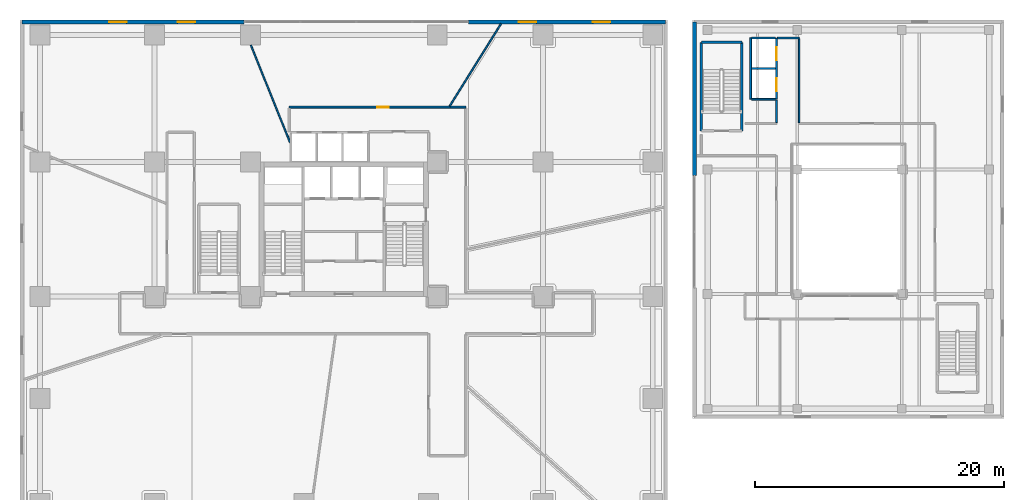
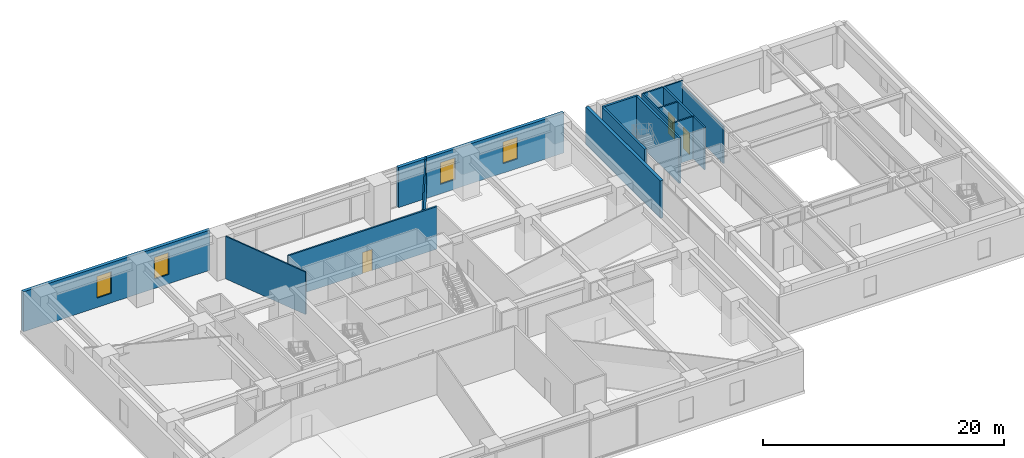
# One storey, part 19 of 24: 17 walls, 4 windows, 3 doors, 7 openings.
"""IFC4 building model written with IfcOpenShell, lengths in metres."""

import ifcopenshell
import ifcopenshell.guid

model = None  # the IFC model being written
_history = None  # IfcOwnerHistory: only IFC2X3 demands one
_inside = {}  # id of a spatial element -> (the spatial element, [elements in it])
_under = {}  # id of a project, library or spatial element -> (it, [spatial elements below it])
_declared = {}  # id of a project -> (the project, [libraries it declares])
_typed = {}  # id of a type object -> (the type object, [elements of that type])
_made_of = {}  # id of a material, layer set ... -> (it, [elements and type objects made of it])


def new_model(schema):
    """Start an empty IFC model of exactly this schema.

    Asked for "IFC4X3", IfcOpenShell would pick the latest addendum, in which some entities
    have other attributes; the version numbers below select the first issue.
    IFC2X3 requires an IfcOwnerHistory on every rooted entity: one is made here for all.
    """
    global model, _history
    if schema == "IFC4X3":
        model = ifcopenshell.file(schema_version=(4, 3, 0, 0))
    else:
        model = ifcopenshell.file(schema=schema)
    _inside.clear()
    _under.clear()
    _declared.clear()
    _typed.clear()
    _made_of.clear()
    _history = None
    if model.schema == "IFC2X3":
        org = make("IfcOrganization", Name="unknown")
        user = make(
            "IfcPersonAndOrganization",
            ThePerson=make("IfcPerson", FamilyName="unknown"),
            TheOrganization=org,
        )
        app = make(
            "IfcApplication",
            ApplicationDeveloper=org,
            Version="unknown",
            ApplicationFullName="unknown",
            ApplicationIdentifier="unknown",
        )
        _history = make(
            "IfcOwnerHistory",
            OwningUser=user,
            OwningApplication=app,
            ChangeAction="ADDED",
            CreationDate=0,
        )
    return model


def make(cls, **values):
    """One entity of the class cls with the attributes given. An attribute that is None is left unset."""
    return model.create_entity(
        cls, **{name: value for name, value in values.items() if value is not None}
    )


def rooted(cls, **values):
    """An entity with a GlobalId (a new one), such as an element, a storey or a relation."""
    return make(cls, GlobalId=ifcopenshell.guid.new(), OwnerHistory=_history, **values)


def si_unit(unit_type, name, prefix=None):
    """IfcSIUnit, for example si_unit("LENGTHUNIT", "METRE", prefix="MILLI")."""
    return make("IfcSIUnit", UnitType=unit_type, Prefix=prefix, Name=name)


def assignment(units):
    """IfcUnitAssignment: the units of a project."""
    return None if units is None else make("IfcUnitAssignment", Units=units)


def point(xyz):
    """IfcCartesianPoint."""
    return None if xyz is None else make("IfcCartesianPoint", Coordinates=xyz)


def direction(xyz):
    """IfcDirection."""
    return None if xyz is None else make("IfcDirection", DirectionRatios=xyz)


def frame(location, z_axis=None, x_axis=None):
    """IfcAxis2Placement3D, a coordinate frame: its origin and axes. An axis left out is left unset."""
    return make(
        "IfcAxis2Placement3D",
        Location=point(location),
        Axis=direction(z_axis),
        RefDirection=direction(x_axis),
    )


def frame_2d(location, x_axis=None):
    """IfcAxis2Placement2D, a coordinate frame in the plane: its origin and x axis."""
    return make(
        "IfcAxis2Placement2D", Location=point(location), RefDirection=direction(x_axis)
    )


def origin():
    """The frame at (0, 0, 0) with its axes left unset."""
    return frame((0.0, 0.0, 0.0))


def place(relative_to, where):
    """IfcLocalPlacement: puts the frame where relative to a parent placement (None: the world)."""
    return make(
        "IfcLocalPlacement", PlacementRelTo=relative_to, RelativePlacement=where
    )


def context(
    kind, dimensions, precision=None, world=None, true_north=None, identifier=None
):
    """IfcGeometricRepresentationContext, for example the 3D "Model" context."""
    return make(
        "IfcGeometricRepresentationContext",
        ContextIdentifier=identifier,
        ContextType=kind,
        CoordinateSpaceDimension=dimensions,
        Precision=precision,
        WorldCoordinateSystem=world,
        TrueNorth=true_north,
    )


def subcontext(parent, identifier, kind, view, scale=None):
    """IfcGeometricRepresentationSubContext, for example "Body" below "Model"."""
    return make(
        "IfcGeometricRepresentationSubContext",
        ContextIdentifier=identifier,
        ContextType=kind,
        ParentContext=parent,
        TargetScale=scale,
        TargetView=view,
    )


def project(units=None, contexts=None):
    """IfcProject with its units and contexts."""
    return rooted(
        "IfcProject",
        Name="project",
        RepresentationContexts=contexts,
        UnitsInContext=assignment(units),
    )


def spatial(cls, under=None, at=None, **own):
    """A site, building, storey or space (cls), placed at a placement, below another one or the project."""
    s = rooted(cls, ObjectPlacement=at, **own)
    if under is not None:
        _under.setdefault(under.id(), (under, []))[1].append(s)
    return s


def profile(cls, at=None, kind="AREA", **sizes):
    """A parametric profile (cls). Its sizes go by their IFC names, for example OverallWidth=200.0."""
    return make(cls, ProfileType=kind, Position=at, **sizes)


def rectangle(**sizes):
    """IfcRectangleProfileDef."""
    return profile("IfcRectangleProfileDef", **sizes)


def extrude(swept, where, along, depth):
    """IfcExtrudedAreaSolid: the profile swept, set in the frame where, extruded along a direction by depth."""
    return make(
        "IfcExtrudedAreaSolid",
        SweptArea=swept,
        Position=where,
        ExtrudedDirection=direction(along),
        Depth=depth,
    )


def shape(context_of_items, identifier, shape_type, items):
    """IfcShapeRepresentation: the items that make up one representation, for example the "Body"."""
    return make(
        "IfcShapeRepresentation",
        ContextOfItems=context_of_items,
        RepresentationIdentifier=identifier,
        RepresentationType=shape_type,
        Items=items,
    )


def source(mapping_origin, context_of_items, identifier, shape_type, items):
    """IfcRepresentationMap: a shape defined once, which mapped items show again and again."""
    return make(
        "IfcRepresentationMap",
        MappingOrigin=mapping_origin,
        MappedRepresentation=shape(context_of_items, identifier, shape_type, items),
    )


def transform(
    local_origin,
    x_axis=None,
    y_axis=None,
    z_axis=None,
    scale=None,
    scale2=None,
    scale3=None,
    uniform=True,
):
    """IfcCartesianTransformationOperator3D, or its non-uniform kind. x_axis, y_axis, z_axis: its Axis1, 2, 3."""
    if uniform:
        return make(
            "IfcCartesianTransformationOperator3D",
            Axis1=direction(x_axis),
            Axis2=direction(y_axis),
            LocalOrigin=point(local_origin),
            Scale=scale,
            Axis3=direction(z_axis),
        )
    return make(
        "IfcCartesianTransformationOperator3DnonUniform",
        Axis1=direction(x_axis),
        Axis2=direction(y_axis),
        LocalOrigin=point(local_origin),
        Scale=scale,
        Axis3=direction(z_axis),
        Scale2=scale2,
        Scale3=scale3,
    )


def mapped(mapping_source, mapping_target):
    """IfcMappedItem: shows the shape of a source again, moved by a transform."""
    return make(
        "IfcMappedItem", MappingSource=mapping_source, MappingTarget=mapping_target
    )


def material(Name=None, Category=None):
    """IfcMaterial."""
    return make("IfcMaterial", Name=Name, Category=Category)


def layer(
    of_material, thickness, ventilated=None, Name=None, Category=None, Priority=None
):
    """IfcMaterialLayer: one layer of a wall or slab, of a material (None: an air gap)."""
    return make(
        "IfcMaterialLayer",
        Material=of_material,
        LayerThickness=thickness,
        IsVentilated=ventilated,
        Name=Name,
        Category=Category,
        Priority=Priority,
    )


def layer_set(layers, Name=None):
    """IfcMaterialLayerSet."""
    return make("IfcMaterialLayerSet", MaterialLayers=layers, LayerSetName=Name)


def made_of(thing, what):
    """Note that an element or type object is made of a material, layer set ...; save() writes the relation."""
    if what is not None:
        _made_of.setdefault(what.id(), (what, []))[1].append(thing)
    return thing


def type_object(cls, material=None, **own):
    """A type object (cls), such as IfcWallType, which elements share."""
    return made_of(rooted(cls, **own), material)


def type_shapes(of_type, sources):
    """Give a type object the sources (RepresentationMaps) that its elements show as mapped items."""
    of_type.RepresentationMaps = sources


def element(
    cls,
    number,
    at=None,
    inside=None,
    cuts=None,
    type_object=None,
    material=None,
    context=None,
    identifier="Body",
    shape_type=None,
    held_by="IfcProductDefinitionShape",
    body=None,
    shapes=None,
    **own,
):
    """One element of the class cls, such as IfcWall. Its Tag is "e" and its number.

    at: its placement. inside: the storey or other place that contains it. cuts: it is an
    opening in that element (IfcRelVoidsElement). A single representation is given by context,
    identifier, shape_type and body (its items); several are given by shapes. held_by: the class
    of the entity that holds the representations. save() writes the other relations.
    """
    e = rooted(cls, Tag="e%d" % number, ObjectPlacement=at, **own)
    if body is not None:
        shapes = [shape(context, identifier, shape_type, body)]
    if shapes is not None:
        e.Representation = make(held_by, Representations=shapes)
    if inside is not None:
        _inside.setdefault(inside.id(), (inside, []))[1].append(e)
    if cuts is not None:
        rooted(
            "IfcRelVoidsElement", RelatingBuildingElement=cuts, RelatedOpeningElement=e
        )
    if type_object is not None:
        _typed.setdefault(type_object.id(), (type_object, []))[1].append(e)
    return made_of(e, material)


def fill(opening, filler):
    """IfcRelFillsElement: the door or window that sits in an opening."""
    return rooted(
        "IfcRelFillsElement",
        RelatingOpeningElement=opening,
        RelatedBuildingElement=filler,
    )


def aggregate(whole, parts):
    """IfcRelAggregates: a whole, such as a stair, and the parts it consists of."""
    return rooted("IfcRelAggregates", RelatingObject=whole, RelatedObjects=parts)


def save(model, path):
    """Write the relations noted so far, then the file.

    IfcRelAggregates (storeys below a building ...), IfcRelContainedInSpatialStructure (elements
    in a storey), IfcRelDefinesByType, IfcRelAssociatesMaterial and IfcRelDeclares: one each for
    every whole, place, type object, material and project.
    """
    for whole, parts in _under.values():
        aggregate(whole, parts)
    for where, things in _inside.values():
        rooted(
            "IfcRelContainedInSpatialStructure",
            RelatedElements=things,
            RelatingStructure=where,
        )
    for kind, things in _typed.values():
        rooted("IfcRelDefinesByType", RelatedObjects=things, RelatingType=kind)
    for what, things in _made_of.values():
        rooted("IfcRelAssociatesMaterial", RelatedObjects=things, RelatingMaterial=what)
    for by, libraries in _declared.values():
        rooted("IfcRelDeclares", RelatingContext=by, RelatedDefinitions=libraries)
    model.write(path)


model = new_model("IFC4")

# Units and contexts
model_context = context("Model", 3, precision=1e-05, world=origin(), true_north=direction((0.0, 1.0)))
body_context = subcontext(model_context, "Body", "Model", "MODEL_VIEW")
ifc_project = project(units=[si_unit("LENGTHUNIT", "METRE"), si_unit("AREAUNIT", "SQUARE_METRE"), si_unit("VOLUMEUNIT", "CUBIC_METRE"), si_unit("PLANEANGLEUNIT", "RADIAN"), si_unit("MASSUNIT", "GRAM", prefix="KILO")], contexts=[model_context])

# Site, building, storey
site_placement = place(None, origin())
site = spatial("IfcSite", under=ifc_project, at=site_placement, CompositionType="ELEMENT")
building_placement = place(site_placement, origin())
building = spatial("IfcBuilding", under=site, at=building_placement, Name="Talar Marvaseh", CompositionType="ELEMENT")
storey_placement = place(building_placement, frame((0.0, 0.0, 9.800048828125)))
storey = spatial("IfcBuildingStorey", under=building, at=storey_placement, Name="L02", CompositionType="ELEMENT", Elevation=9.800048828125)

# Wall, openings, windows
ifc_material_1 = material(Name="Precast concrete C45/55", Category="concrete")
ifc_layer_1 = layer(ifc_material_1, 0.31005859375)
ifc_layer_set_1 = layer_set([ifc_layer_1], Name="Precast concrete C45/55")
wall_type_1 = type_object("IfcWallType", Name="Architectural Precast Limestone Podium Facade Wall 310", PredefinedType="SOLIDWALL", material=ifc_layer_set_1)
wall_1_placement = place(storey_placement, frame((0.159912109375, 47.840087890625, 0.0), z_axis=(0.0, 0.0, 1.0), x_axis=(1.0, 0.0, 0.0)))
wall_1 = element("IfcWall", 1, at=wall_1_placement, inside=storey, type_object=wall_type_1, Name="L02 Podium North-West Facade Wall", PredefinedType="SOLIDWALL", context=body_context, shape_type="SweptSolid", body=[
    extrude(rectangle(XDim=17.840087890625, YDim=0.31005859375, at=frame_2d((8.919921875, 0.0))), origin(), (0.0, 0.0, 1.0), 4.050048828125),
])
opening_1_placement = place(wall_1_placement, frame((7.0, 0.0, 0.949951171875)))
opening_1 = element("IfcOpeningElement", 2, at=opening_1_placement, cuts=wall_1, Name="Opening WN-POD14", PredefinedType="OPENING", context=body_context, shape_type="SweptSolid", body=[
    extrude(rectangle(XDim=1.39990234375, YDim=2.199951171875, at=frame_2d((0.699951171875, 1.10009765625))), frame((0.0, 0.1650390625, 0.0), z_axis=(0.0, -1.0, 0.0), x_axis=(1.0, 0.0, 0.0)), (0.0, 0.0, 1.0), 0.330078125),
])
opening_2_placement = place(wall_1_placement, frame((12.5, 0.0, 0.949951171875)))
opening_2 = element("IfcOpeningElement", 3, at=opening_2_placement, cuts=wall_1, Name="Opening WN-POD14", PredefinedType="OPENING", context=body_context, shape_type="SweptSolid", body=[
    extrude(rectangle(XDim=1.39990234375, YDim=2.199951171875, at=frame_2d((0.699951171875, 1.10009765625))), frame((0.0, 0.1650390625, 0.0), z_axis=(0.0, -1.0, 0.0), x_axis=(1.0, 0.0, 0.0)), (0.0, 0.0, 1.0), 0.330078125),
])
ifc_material_2 = material(Name="Laminated Low-E Solar Glass", Category="glass")
window_type = type_object("IfcWindowType", Name="Podium Mezzanine Solar Window 1400x2200", PartitioningType="SINGLE_PANEL", PredefinedType="WINDOW", material=ifc_material_2)
shared_shape_1 = source(origin(), body_context, "Body", "SweptSolid", [
    extrude(rectangle(XDim=1.39990234375, YDim=2.199951171875, at=frame_2d((0.699951171875, 1.10009765625))), frame((0.0, 0.030029296875, 0.0), z_axis=(0.0, -1.0, 0.0), x_axis=(1.0, 0.0, 0.0)), (0.0, 0.0, 1.0), 0.06005859375),
])
type_shapes(window_type, [shared_shape_1])
window_1_placement = place(opening_1_placement, origin())
window_1 = element("IfcWindow", 4, at=window_1_placement, inside=storey, type_object=window_type, Name="L02 Podium Solar Window", OverallHeight=2.199951171875, OverallWidth=1.39990234375, PartitioningType="SINGLE_PANEL", PredefinedType="WINDOW", context=body_context, shape_type="MappedRepresentation", body=[
    mapped(shared_shape_1, transform((0.0, 0.0, 0.0), x_axis=(1.0, 0.0, 0.0), y_axis=(0.0, 1.0, 0.0), z_axis=(0.0, 0.0, 1.0), scale=1.0)),
])
fill(opening_1, window_1)
window_2_placement = place(opening_2_placement, origin())
window_2 = element("IfcWindow", 5, at=window_2_placement, inside=storey, type_object=window_type, Name="L02 Podium Solar Window", OverallHeight=2.199951171875, OverallWidth=1.39990234375, PartitioningType="SINGLE_PANEL", PredefinedType="WINDOW", context=body_context, shape_type="MappedRepresentation", body=[
    mapped(shared_shape_1, transform((0.0, 0.0, 0.0), x_axis=(1.0, 0.0, 0.0), y_axis=(0.0, 1.0, 0.0), z_axis=(0.0, 0.0, 1.0), scale=1.0)),
])
fill(opening_2, window_2)

wall_2_placement = place(storey_placement, frame((36.0, 47.840087890625, 0.0), z_axis=(0.0, 0.0, 1.0), x_axis=(1.0, 0.0, 0.0)))
wall_2 = element("IfcWall", 6, at=wall_2_placement, inside=storey, type_object=wall_type_1, Name="L02 Podium North-East Facade Wall", PredefinedType="SOLIDWALL", context=body_context, shape_type="SweptSolid", body=[
    extrude(rectangle(XDim=15.840087890625, YDim=0.31005859375, at=frame_2d((7.919921875, 0.0))), origin(), (0.0, 0.0, 1.0), 4.050048828125),
])
opening_3_placement = place(wall_2_placement, frame((4.050048828125, 0.0, 0.949951171875)))
opening_3 = element("IfcOpeningElement", 7, at=opening_3_placement, cuts=wall_2, Name="Opening WN-POD14", PredefinedType="OPENING", context=body_context, shape_type="SweptSolid", body=[
    extrude(rectangle(XDim=1.39990234375, YDim=2.199951171875, at=frame_2d((0.699951171875, 1.10009765625))), frame((0.0, 0.1650390625, 0.0), z_axis=(0.0, -1.0, 0.0), x_axis=(1.0, 0.0, 0.0)), (0.0, 0.0, 1.0), 0.330078125),
])
opening_4_placement = place(wall_2_placement, frame((10.0, 0.0, 0.949951171875)))
opening_4 = element("IfcOpeningElement", 8, at=opening_4_placement, cuts=wall_2, Name="Opening WN-POD14", PredefinedType="OPENING", context=body_context, shape_type="SweptSolid", body=[
    extrude(rectangle(XDim=1.39990234375, YDim=2.199951171875, at=frame_2d((0.699951171875, 1.10009765625))), frame((0.0, 0.1650390625, 0.0), z_axis=(0.0, -1.0, 0.0), x_axis=(1.0, 0.0, 0.0)), (0.0, 0.0, 1.0), 0.330078125),
])
window_3_placement = place(opening_3_placement, origin())
window_3 = element("IfcWindow", 9, at=window_3_placement, inside=storey, type_object=window_type, Name="L02 Podium Solar Window", OverallHeight=2.199951171875, OverallWidth=1.39990234375, PartitioningType="SINGLE_PANEL", PredefinedType="WINDOW", context=body_context, shape_type="MappedRepresentation", body=[
    mapped(shared_shape_1, transform((0.0, 0.0, 0.0), x_axis=(1.0, 0.0, 0.0), y_axis=(0.0, 1.0, 0.0), z_axis=(0.0, 0.0, 1.0), scale=1.0)),
])
fill(opening_3, window_3)
window_4_placement = place(opening_4_placement, origin())
window_4 = element("IfcWindow", 10, at=window_4_placement, inside=storey, type_object=window_type, Name="L02 Podium Solar Window", OverallHeight=2.199951171875, OverallWidth=1.39990234375, PartitioningType="SINGLE_PANEL", PredefinedType="WINDOW", context=body_context, shape_type="MappedRepresentation", body=[
    mapped(shared_shape_1, transform((0.0, 0.0, 0.0), x_axis=(1.0, 0.0, 0.0), y_axis=(0.0, 1.0, 0.0), z_axis=(0.0, 0.0, 1.0), scale=1.0)),
])
fill(opening_4, window_4)

# Wall, opening, door
ifc_material_3 = material(Name="Gypsum Board Partition Assembly")
ifc_layer_2 = layer(ifc_material_3, 0.155029296875)
ifc_layer_set_2 = layer_set([ifc_layer_2], Name="Gypsum Board Partition Assembly")
wall_type_2 = type_object("IfcWallType", Name="Corridor Fire-Rated Acoustic Partition 155", PredefinedType="PARTITIONING", material=ifc_layer_set_2)
wall_3_placement = place(storey_placement, frame((21.60009765625, 41.0, 0.0), z_axis=(0.0, 0.0, 1.0), x_axis=(1.0, 0.0, 0.0)))
wall_3 = element("IfcWall", 11, at=wall_3_placement, inside=storey, type_object=wall_type_2, Name="L02 Interior Partition Wall", PredefinedType="PARTITIONING", context=body_context, shape_type="SweptSolid", body=[
    extrude(rectangle(XDim=14.199951171875, YDim=0.155029296875, at=frame_2d((7.10009765625, 0.0))), origin(), (0.0, 0.0, 1.0), 4.300048828125),
])
opening_5_placement = place(wall_3_placement, frame((7.0654296875, 0.0, 0.0)))
opening_5 = element("IfcOpeningElement", 12, at=opening_5_placement, cuts=wall_3, Name="Opening DR-WC095", PredefinedType="OPENING", context=body_context, shape_type="SweptSolid", body=[
    extrude(rectangle(XDim=0.949951171875, YDim=2.14990234375, at=frame_2d((0.47509765625, 1.074951171875))), frame((0.0, 0.08740234375, 0.0), z_axis=(0.0, -1.0, 0.0), x_axis=(1.0, 0.0, 0.0)), (0.0, 0.0, 1.0), 0.175048828125),
])
ifc_material_4 = material(Name="Acoustic Engineered Oak Timber", Category="wood")
door_type_1 = type_object("IfcDoorType", Name="Washroom and Service Room Door 950x2150", OperationType="NOTDEFINED", PredefinedType="DOOR", material=ifc_material_4)
shared_shape_2 = source(origin(), body_context, "Body", "SweptSolid", [
    extrude(rectangle(XDim=0.949951171875, YDim=2.14990234375, at=frame_2d((0.47509765625, 1.074951171875))), frame((0.0, 0.02490234375, 0.0), z_axis=(0.0, -1.0, 0.0), x_axis=(1.0, 0.0, 0.0)), (0.0, 0.0, 1.0), 0.050048828125),
])
type_shapes(door_type_1, [shared_shape_2])
door_1_placement = place(opening_5_placement, origin())
door_1 = element("IfcDoor", 13, at=door_1_placement, inside=storey, type_object=door_type_1, Name="L02 Accessible WC Block Door", OperationType="SINGLE_SWING_RIGHT", OverallHeight=2.14990234375, OverallWidth=0.949951171875, PredefinedType="DOOR", context=body_context, shape_type="MappedRepresentation", body=[
    mapped(shared_shape_2, transform((0.0, 0.0, 0.0), x_axis=(1.0, 0.0, 0.0), y_axis=(0.0, 1.0, 0.0), z_axis=(0.0, 0.0, 1.0), scale=1.0)),
])
fill(opening_5, door_1)

# Walls
ifc_layer_3 = layer(ifc_material_3, 0.1201171875)
ifc_layer_set_3 = layer_set([ifc_layer_3], Name="Gypsum Board Partition Assembly")
wall_type_3 = type_object("IfcWallType", Name="Demountable Studio Room Partition 120", PredefinedType="PARTITIONING", material=ifc_layer_set_3)
wall_4_placement = place(storey_placement, frame((34.4921875, 41.08349609375, 0.0), z_axis=(0.0, 0.0, 1.0), x_axis=(0.529897521228, 0.848061682306, 0.0)))
element("IfcWall", 14, at=wall_4_placement, inside=storey, type_object=wall_type_3, Name="L02 Interior Partition Wall", PredefinedType="PARTITIONING", context=body_context, shape_type="SweptSolid", body=[
    extrude(rectangle(XDim=7.7900390625, YDim=0.1201171875, at=frame_2d((3.89501953125, 0.0))), origin(), (0.0, 0.0, 1.0), 4.300048828125),
])
wall_5_placement = place(storey_placement, frame((21.681396484375, 38.184326171875, 0.0), z_axis=(0.0, 0.0, 1.0), x_axis=(-0.374369058087, 0.927279789679, 0.0)))
element("IfcWall", 15, at=wall_5_placement, inside=storey, type_object=wall_type_3, Name="L02 Interior Partition Wall", PredefinedType="PARTITIONING", context=body_context, shape_type="SweptSolid", body=[
    extrude(rectangle(XDim=8.417724609375, YDim=0.1201171875, at=frame_2d((4.208984375, 0.0))), origin(), (0.0, 0.0, 1.0), 4.300048828125),
])
ifc_layer_4 = layer(ifc_material_1, 0.14501953125)
ifc_layer_set_4 = layer_set([ifc_layer_4], Name="Precast concrete C45/55")
wall_type_4 = type_object("IfcWallType", Name="Fire-Rated Lift Divider Wall 145", PredefinedType="SOLIDWALL", material=ifc_layer_set_4)
wall_6_placement = place(storey_placement, frame((58.659912109375, 41.639892578125, 0.0), z_axis=(0.0, 0.0, 1.0), x_axis=(0.0, 1.0, 0.0)))
element("IfcWall", 16, at=wall_6_placement, inside=storey, type_object=wall_type_4, Name="L02 Market Lift Back Wall", PredefinedType="SOLIDWALL", context=body_context, shape_type="SweptSolid", body=[
    extrude(rectangle(XDim=4.920166015625, YDim=0.14501953125, at=frame_2d((2.4599609375, 0.0))), origin(), (0.0, 0.0, 1.0), 4.300048828125),
])
wall_7_placement = place(storey_placement, frame((58.738525390625, 44.10009765625, 0.0), z_axis=(0.0, 0.0, 1.0), x_axis=(1.0, 0.0, 0.0)))
element("IfcWall", 17, at=wall_7_placement, inside=storey, type_object=wall_type_4, Name="L02 Market Lift Divider", PredefinedType="SOLIDWALL", context=body_context, shape_type="SweptSolid", body=[
    extrude(rectangle(XDim=1.907958984375, YDim=0.14501953125, at=frame_2d((0.9541015625, 0.0))), origin(), (0.0, 0.0, 1.0), 4.300048828125),
])
for number, where, z_axis, x_axis, name in (
    (18, (58.739990234375, 41.639892578125, 0.0), (0.0, 0.0, 1.0), (1.0, 0.0, 0.0), "L02 Market Lift South End Wall"),
    (19, (58.739990234375, 46.56005859375, 0.0), (0.0, 0.0, 1.0), (1.0, 0.0, 0.0), "L02 Market Lift North End Wall"),
):
    element("IfcWall", number, at=place(storey_placement, frame(where, z_axis=z_axis, x_axis=x_axis)), inside=storey, type_object=wall_type_4, Name=name, PredefinedType="SOLIDWALL", context=body_context, shape_type="SweptSolid", body=[
        extrude(rectangle(XDim=1.909912109375, YDim=0.14501953125, at=frame_2d((0.955078125, 0.0))), origin(), (0.0, 0.0, 1.0), 4.300048828125),
    ])

# Wall, openings, doors
ifc_layer_5 = layer(ifc_material_1, 0.175048828125)
ifc_layer_set_5 = layer_set([ifc_layer_5], Name="Precast concrete C45/55")
wall_type_5 = type_object("IfcWallType", Name="Fire-Rated Lift Hoistway Enclosure Wall 175", PredefinedType="SOLIDWALL", material=ifc_layer_set_5)
wall_8_placement = place(storey_placement, frame((60.739990234375, 41.639892578125, 0.0), z_axis=(0.0, 0.0, 1.0), x_axis=(0.0, 1.0, 0.0)))
wall_8 = element("IfcWall", 20, at=wall_8_placement, inside=storey, type_object=wall_type_5, Name="L02 Market Lift Bank Front Wall", PredefinedType="SOLIDWALL", context=body_context, shape_type="SweptSolid", body=[
    extrude(rectangle(XDim=4.920166015625, YDim=0.175048828125, at=frame_2d((2.4599609375, 0.0))), origin(), (0.0, 0.0, 1.0), 4.300048828125),
])
opening_6_placement = place(wall_8_placement, frame((0.64990234375, 0.0, 0.0)))
opening_6 = element("IfcOpeningElement", 21, at=opening_6_placement, cuts=wall_8, Name="Opening LD-MHE1", PredefinedType="OPENING", context=body_context, shape_type="SweptSolid", body=[
    extrude(rectangle(XDim=1.050048828125, YDim=2.14990234375, at=frame_2d((0.52490234375, 1.074951171875))), frame((0.0, 0.09765625, 0.0), z_axis=(0.0, -1.0, 0.0), x_axis=(1.0, 0.0, 0.0)), (0.0, 0.0, 1.0), 0.195068359375),
])
opening_7_placement = place(wall_8_placement, frame((3.1201171875, 0.0, 0.0)))
opening_7 = element("IfcOpeningElement", 22, at=opening_7_placement, cuts=wall_8, Name="Opening LD-MHE2", PredefinedType="OPENING", context=body_context, shape_type="SweptSolid", body=[
    extrude(rectangle(XDim=1.050048828125, YDim=2.14990234375, at=frame_2d((0.52490234375, 1.074951171875))), frame((0.0, 0.09765625, 0.0), z_axis=(0.0, -1.0, 0.0), x_axis=(1.0, 0.0, 0.0)), (0.0, 0.0, 1.0), 0.195068359375),
])
ifc_material_5 = material(Name="Stainless Steel Grade 316", Category="steel")
door_type_2 = type_object("IfcDoorType", Name="Automatic Sliding Lift Landing Door 1050x2150", OperationType="NOTDEFINED", PredefinedType="DOOR", material=ifc_material_5)
shared_shape_3 = source(origin(), body_context, "Body", "SweptSolid", [
    extrude(rectangle(XDim=1.050048828125, YDim=2.14990234375, at=frame_2d((0.52490234375, 1.074951171875))), frame((0.0, 0.02490234375, 0.0), z_axis=(0.0, -1.0, 0.0), x_axis=(1.0, 0.0, 0.0)), (0.0, 0.0, 1.0), 0.050048828125),
])
type_shapes(door_type_2, [shared_shape_3])
door_2_placement = place(opening_6_placement, origin())
door_2 = element("IfcDoor", 23, at=door_2_placement, inside=storey, type_object=door_type_2, Name="L02 Lift MH-EL2 Sliding Landing Door", OperationType="SLIDING_TO_LEFT", OverallHeight=2.14990234375, OverallWidth=1.050048828125, PredefinedType="DOOR", context=body_context, shape_type="MappedRepresentation", body=[
    mapped(shared_shape_3, transform((0.0, 0.0, 0.0), x_axis=(1.0, 0.0, 0.0), y_axis=(0.0, 1.0, 0.0), z_axis=(0.0, 0.0, 1.0), scale=1.0)),
])
fill(opening_6, door_2)
door_3_placement = place(opening_7_placement, origin())
door_3 = element("IfcDoor", 24, at=door_3_placement, inside=storey, type_object=door_type_2, Name="L02 Lift MH-EL1 Sliding Landing Door", OperationType="SLIDING_TO_LEFT", OverallHeight=2.14990234375, OverallWidth=1.050048828125, PredefinedType="DOOR", context=body_context, shape_type="MappedRepresentation", body=[
    mapped(shared_shape_3, transform((0.0, 0.0, 0.0), x_axis=(1.0, 0.0, 0.0), y_axis=(0.0, 1.0, 0.0), z_axis=(0.0, 0.0, 1.0), scale=1.0)),
])
fill(opening_7, door_3)

# Walls
ifc_layer_6 = layer(ifc_material_3, 0.135009765625)
ifc_layer_set_6 = layer_set([ifc_layer_6], Name="Gypsum Board Partition Assembly")
wall_type_6 = type_object("IfcWallType", Name="Gallery High-Acoustic Partition 135", PredefinedType="PARTITIONING", material=ifc_layer_set_6)
wall_9_placement = place(storey_placement, frame((60.739990234375, 39.75341796875, 0.0), z_axis=(0.0, 0.0, 1.0), x_axis=(0.0, 1.0, 0.0)))
element("IfcWall", 25, at=wall_9_placement, inside=storey, type_object=wall_type_6, Name="L02 Interior Partition Wall", PredefinedType="PARTITIONING", context=body_context, shape_type="SweptSolid", body=[
    extrude(rectangle(XDim=1.836669921875, YDim=0.135009765625, at=frame_2d((0.91845703125, 0.0))), origin(), (0.0, 0.0, 1.0), 4.300048828125),
])
wall_10_placement = place(storey_placement, frame((60.80908203125, 46.550048828125, 0.0), z_axis=(0.0, 0.0, 1.0), x_axis=(1.0, 0.0, 0.0)))
element("IfcWall", 26, at=wall_10_placement, inside=storey, type_object=wall_type_6, Name="L02 Interior Partition Wall", PredefinedType="PARTITIONING", context=body_context, shape_type="SweptSolid", body=[
    extrude(rectangle(XDim=1.740966796875, YDim=0.135009765625, at=frame_2d((0.87060546875, 0.0))), origin(), (0.0, 0.0, 1.0), 4.300048828125),
])
wall_11_placement = place(storey_placement, frame((62.550048828125, 46.4765625, 0.0), z_axis=(0.0, 0.0, 1.0), x_axis=(0.0, -1.0, 0.0)))
element("IfcWall", 27, at=wall_11_placement, inside=storey, type_object=wall_type_6, Name="L02 Interior Partition Wall", PredefinedType="PARTITIONING", context=body_context, shape_type="SweptSolid", body=[
    extrude(rectangle(XDim=6.72314453125, YDim=0.135009765625, at=frame_2d((3.361572265625, 0.0))), origin(), (0.0, 0.0, 1.0), 3.73095703125),
])
ifc_layer_7 = layer(ifc_material_1, 0.2900390625)
ifc_layer_set_7 = layer_set([ifc_layer_7], Name="Precast concrete C45/55")
wall_type_7 = type_object("IfcWallType", Name="Market Hall Precast Limestone Bazaar Wall 290", PredefinedType="SOLIDWALL", material=ifc_layer_set_7)
wall_12_placement = place(storey_placement, frame((54.14990234375, 35.5, 0.0), z_axis=(0.0, 0.0, 1.0), x_axis=(0.0, 1.0, 0.0)))
element("IfcWall", 28, at=wall_12_placement, inside=storey, type_object=wall_type_7, Name="L02 Market Hall West-North Wall", PredefinedType="SOLIDWALL", context=body_context, shape_type="SweptSolid", body=[
    extrude(rectangle(XDim=12.35009765625, YDim=0.2900390625, at=frame_2d((6.175048828125, 0.0))), origin(), (0.0, 0.0, 1.0), 3.800048828125),
])
ifc_material_6 = material(Name="Concrete C50/60", Category="concrete")
ifc_layer_8 = layer(ifc_material_6, 0.199951171875)
ifc_layer_set_8 = layer_set([ifc_layer_8], Name="Concrete C50/60")
wall_type_8 = type_object("IfcWallType", Name="Stair Shaft Structural Concrete Shear Wall 200", PredefinedType="SHEAR", material=ifc_layer_set_8)
wall_13_placement = place(storey_placement, frame((54.699951171875, 46.199951171875, 0.0), z_axis=(0.0, 0.0, 1.0), x_axis=(1.0, 0.0, 0.0)))
element("IfcWall", 29, at=wall_13_placement, inside=storey, type_object=wall_type_8, Name="L02 MH-ST1 North Shear Wall", PredefinedType="SHEAR", context=body_context, shape_type="SweptSolid", body=[
    extrude(rectangle(XDim=3.260009765625, YDim=0.199951171875, at=frame_2d((1.6298828125, 0.0))), origin(), (0.0, 0.0, 1.0), 4.599853515625),
])
for number, where, z_axis, x_axis, name in (
    (30, (54.699951171875, 39.10009765625, 0.0), (0.0, 0.0, 1.0), (0.0, 1.0, 0.0), "L02 MH-ST1 West Shear Wall"),
    (31, (57.9599609375, 39.10009765625, 0.0), (0.0, 0.0, 1.0), (0.0, 1.0, 0.0), "L02 MH-ST1 East Shear Wall"),
):
    element("IfcWall", number, at=place(storey_placement, frame(where, z_axis=z_axis, x_axis=x_axis)), inside=storey, type_object=wall_type_8, Name=name, PredefinedType="SHEAR", context=body_context, shape_type="SweptSolid", body=[
        extrude(rectangle(XDim=7.099853515625, YDim=0.199951171875, at=frame_2d((3.5498046875, 0.0))), origin(), (0.0, 0.0, 1.0), 4.599853515625),
    ])

save(model, "model.ifc")
